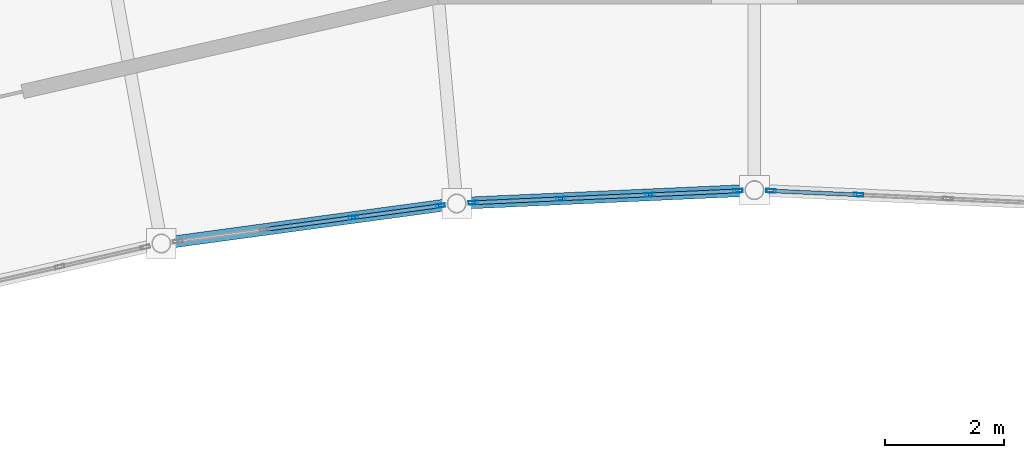
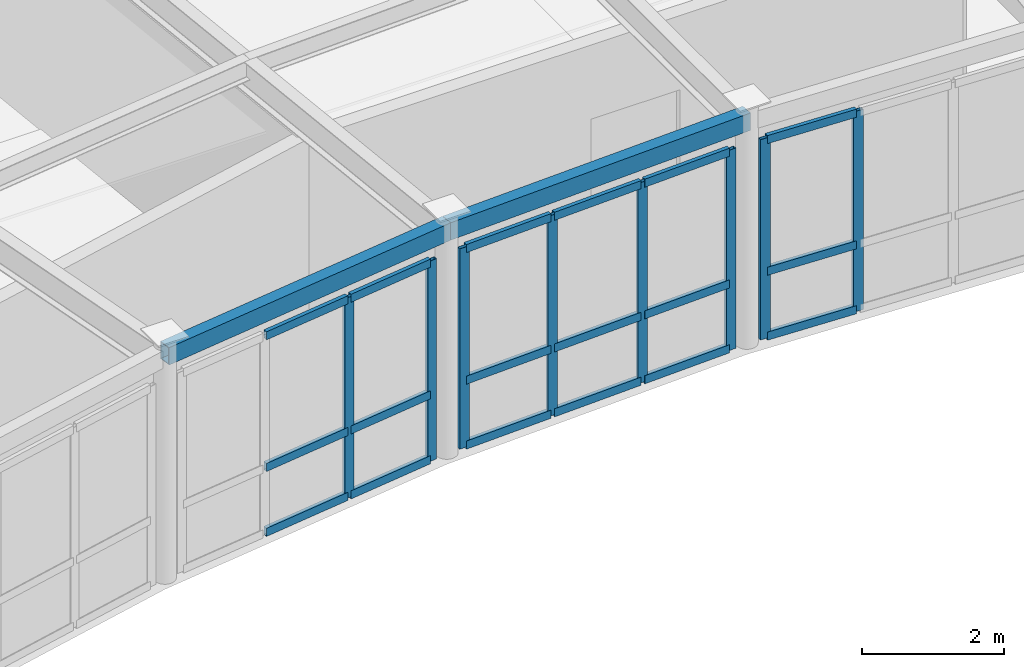
# One storey, part 23 of 54: 26 members, 2 beams, 3 elements without a shape of their own.
"""IFC4 building model written with IfcOpenShell, lengths in metres."""

from ifc_helpers import new_model, si_unit, direction, frame, origin, origin_2d, place, context, subcontext, project, spatial, hollow_rectangle, extrude, material, layer, layer_set, material_profile, profile_set, type_object, element, aggregate, save


model = new_model("IFC4")

# Units and contexts
model_context = context("Model", 3, precision=1e-05, world=origin(), true_north=direction((0.0, 1.0)))
body_context = subcontext(model_context, "Body", "Model", "MODEL_VIEW")
ifc_project = project(units=[si_unit("LENGTHUNIT", "METRE"), si_unit("AREAUNIT", "SQUARE_METRE"), si_unit("VOLUMEUNIT", "CUBIC_METRE"), si_unit("PLANEANGLEUNIT", "RADIAN"), si_unit("MASSUNIT", "GRAM", prefix="KILO")], contexts=[model_context])

# Site, building, storey
site_placement = place(None, origin())
site = spatial("IfcSite", under=ifc_project, at=site_placement, CompositionType="ELEMENT")
building_placement = place(site_placement, origin())
building = spatial("IfcBuilding", under=site, at=building_placement, Name="Selat Folded Stagehouse", CompositionType="ELEMENT")
storey_placement = place(building_placement, frame((0.0, 0.0, 15.0)))
storey = spatial("IfcBuildingStorey", under=building, at=storey_placement, Name="L03", CompositionType="ELEMENT", Elevation=15.0)

# Curtain wall, members
ifc_material_1 = material(Name="Aluminium 6063-T6", Category="aluminium")
ifc_layer = layer(ifc_material_1, 0.18994140625)
ifc_layer_set = layer_set([ifc_layer], Name="Aluminium 6063-T6")
curtain_wall_type = type_object("IfcCurtainWallType", Name="CW-REH-ARC", PredefinedType="NOTDEFINED", material=ifc_layer_set)
curtain_wall_1_placement = place(storey_placement, origin())
curtain_wall_1 = element("IfcCurtainWall", 1, at=curtain_wall_1_placement, inside=storey, type_object=curtain_wall_type, Name="L03 curtain wall CW-REH-L03-05", PredefinedType="NOTDEFINED")
ifc_material_profile_1 = material_profile(ifc_material_1, hollow_rectangle(XDim=0.06005859375, YDim=0.159912109375, WallThickness=0.00390625, at=origin_2d()), Name="ALU 160x60x4.0")
ifc_profile_set_1 = profile_set([ifc_material_profile_1], Name="Aluminium 6063-T6")
member_type_1 = type_object("IfcMemberType", Name="CWM-MUL-160x60", PredefinedType="MULLION", material=ifc_profile_set_1)
member_1_placement = place(storey_placement, frame((87.102783203125, 93.737060546875, 0.0), z_axis=(0.0, 0.0, 1.0), x_axis=(0.134211766018, -0.990952673876, 0.0)))
member_1 = element("IfcMember", 2, at=member_1_placement, type_object=member_type_1, Name="CW-06 mullion 1", PredefinedType="MULLION", context=body_context, shape_type="SweptSolid", body=[
    extrude(hollow_rectangle(XDim=0.06005859375, YDim=0.159912109375, WallThickness=0.00390625, at=origin_2d()), origin(), (0.0, 0.0, 1.0), 3.449951171875),
])
member_2_placement = place(storey_placement, frame((85.637939453125, 93.53857421875, 0.0), z_axis=(0.0, 0.0, 1.0), x_axis=(0.134211766018, -0.990952673876, 0.0)))
member_2 = element("IfcMember", 3, at=member_2_placement, type_object=member_type_1, Name="CW-06 mullion 2", PredefinedType="MULLION", context=body_context, shape_type="SweptSolid", body=[
    extrude(hollow_rectangle(XDim=0.06005859375, YDim=0.159912109375, WallThickness=0.00390625, at=origin_2d()), origin(), (0.0, 0.0, 1.0), 3.449951171875),
])

curtain_wall_2_placement = place(storey_placement, origin())
curtain_wall_2 = element("IfcCurtainWall", 4, at=curtain_wall_2_placement, inside=storey, type_object=curtain_wall_type, Name="L03 curtain wall CW-REH-L03-06", PredefinedType="NOTDEFINED")
member_3_placement = place(storey_placement, frame((92.120361328125, 93.987548828125, 0.0), z_axis=(0.0, 0.0, 1.0), x_axis=(0.044862316478, -0.998993179436, 0.0)))
member_3 = element("IfcMember", 5, at=member_3_placement, type_object=member_type_1, Name="CW-06 mullion 1", PredefinedType="MULLION", context=body_context, shape_type="SweptSolid", body=[
    extrude(hollow_rectangle(XDim=0.06005859375, YDim=0.159912109375, WallThickness=0.00390625, at=origin_2d()), origin(), (0.0, 0.0, 1.0), 3.449951171875),
])
member_4_placement = place(storey_placement, frame((90.6435546875, 93.921142578125, 0.0), z_axis=(0.0, 0.0, 1.0), x_axis=(0.044862316478, -0.998993179436, 0.0)))
member_4 = element("IfcMember", 6, at=member_4_placement, type_object=member_type_1, Name="CW-06 mullion 2", PredefinedType="MULLION", context=body_context, shape_type="SweptSolid", body=[
    extrude(hollow_rectangle(XDim=0.06005859375, YDim=0.159912109375, WallThickness=0.00390625, at=origin_2d()), origin(), (0.0, 0.0, 1.0), 3.449951171875),
])
member_5_placement = place(storey_placement, frame((89.13671875, 93.853515625, 0.0), z_axis=(0.0, 0.0, 1.0), x_axis=(0.044862316478, -0.998993179436, 0.0)))
member_5 = element("IfcMember", 7, at=member_5_placement, type_object=member_type_1, Name="CW-06 mullion 3", PredefinedType="MULLION", context=body_context, shape_type="SweptSolid", body=[
    extrude(hollow_rectangle(XDim=0.06005859375, YDim=0.159912109375, WallThickness=0.00390625, at=origin_2d()), origin(), (0.0, 0.0, 1.0), 3.449951171875),
])
member_6_placement = place(storey_placement, frame((87.659912109375, 93.787109375, 0.0), z_axis=(0.0, 0.0, 1.0), x_axis=(0.044862316478, -0.998993179436, 0.0)))
member_6 = element("IfcMember", 8, at=member_6_placement, type_object=member_type_1, Name="CW-06 mullion 4", PredefinedType="MULLION", context=body_context, shape_type="SweptSolid", body=[
    extrude(hollow_rectangle(XDim=0.06005859375, YDim=0.159912109375, WallThickness=0.00390625, at=origin_2d()), origin(), (0.0, 0.0, 1.0), 3.449951171875),
])

curtain_wall_3_placement = place(storey_placement, origin())
curtain_wall_3 = element("IfcCurtainWall", 9, at=curtain_wall_3_placement, inside=storey, type_object=curtain_wall_type, Name="L03 curtain wall CW-REH-L03-07", PredefinedType="NOTDEFINED")
member_7_placement = place(storey_placement, frame((94.156494140625, 93.921142578125, 0.0), z_axis=(0.0, 0.0, 1.0), x_axis=(-0.044862316478, -0.998993179436, 0.0)))
member_7 = element("IfcMember", 10, at=member_7_placement, type_object=member_type_1, Name="CW-06 mullion 3", PredefinedType="MULLION", context=body_context, shape_type="SweptSolid", body=[
    extrude(hollow_rectangle(XDim=0.06005859375, YDim=0.159912109375, WallThickness=0.00390625, at=origin_2d()), origin(), (0.0, 0.0, 1.0), 3.449951171875),
])
member_8_placement = place(storey_placement, frame((92.6796875, 93.987548828125, 0.0), z_axis=(0.0, 0.0, 1.0), x_axis=(-0.044862316478, -0.998993179436, 0.0)))
member_8 = element("IfcMember", 11, at=member_8_placement, type_object=member_type_1, Name="CW-06 mullion 4", PredefinedType="MULLION", context=body_context, shape_type="SweptSolid", body=[
    extrude(hollow_rectangle(XDim=0.06005859375, YDim=0.159912109375, WallThickness=0.00390625, at=origin_2d()), origin(), (0.0, 0.0, 1.0), 3.449951171875),
])

# Member
ifc_material_profile_2 = material_profile(ifc_material_1, hollow_rectangle(XDim=0.06494140625, YDim=0.139892578125, WallThickness=0.00390625, at=origin_2d()), Name="ALU 140x65x4.0")
ifc_profile_set_2 = profile_set([ifc_material_profile_2], Name="Aluminium 6063-T6")
member_type_2 = type_object("IfcMemberType", Name="CWM-TRN-140x65", PredefinedType="USERDEFINED", material=ifc_profile_set_2)
member_9_placement = place(storey_placement, frame((87.072998046875, 93.73291015625, 0.032470703125), z_axis=(-0.990946066769, -0.134260540573, 0.0), x_axis=(0.134260540573, -0.990946066769, 0.0)))
member_9 = element("IfcMember", 12, at=member_9_placement, type_object=member_type_2, Name="CW-06 transom 1.1", ObjectType="TRANSOM", PredefinedType="USERDEFINED", context=body_context, shape_type="SweptSolid", body=[
    extrude(hollow_rectangle(XDim=0.06494140625, YDim=0.139892578125, WallThickness=0.00390625, at=origin_2d()), origin(), (0.0, 0.0, 1.0), 1.41845703125),
])

member_10_placement = place(storey_placement, frame((87.072998046875, 93.73291015625, 1.14990234375), z_axis=(-0.990946066769, -0.134260540573, 0.0), x_axis=(0.134260540573, -0.990946066769, 0.0)))
member_10 = element("IfcMember", 13, at=member_10_placement, type_object=member_type_2, Name="CW-06 transom 1.2", ObjectType="TRANSOM", PredefinedType="USERDEFINED", context=body_context, shape_type="SweptSolid", body=[
    extrude(hollow_rectangle(XDim=0.06494140625, YDim=0.139892578125, WallThickness=0.00390625, at=origin_2d()), origin(), (0.0, 0.0, 1.0), 1.41845703125),
])

member_11_placement = place(storey_placement, frame((87.072998046875, 93.73291015625, 3.41748046875), z_axis=(-0.990946066769, -0.134260540573, 0.0), x_axis=(0.134260540573, -0.990946066769, 0.0)))
member_11 = element("IfcMember", 14, at=member_11_placement, type_object=member_type_2, Name="CW-06 transom 1.3", ObjectType="TRANSOM", PredefinedType="USERDEFINED", context=body_context, shape_type="SweptSolid", body=[
    extrude(hollow_rectangle(XDim=0.06494140625, YDim=0.139892578125, WallThickness=0.00390625, at=origin_2d()), origin(), (0.0, 0.0, 1.0), 1.41845703125),
])

member_12_placement = place(storey_placement, frame((85.608154296875, 93.534423828125, 0.032470703125), z_axis=(-0.990957936125, -0.134172906473, 0.0), x_axis=(0.134172906473, -0.990957936125, 0.0)))
member_12 = element("IfcMember", 15, at=member_12_placement, type_object=member_type_2, Name="CW-06 transom 2.1", ObjectType="TRANSOM", PredefinedType="USERDEFINED", context=body_context, shape_type="SweptSolid", body=[
    extrude(hollow_rectangle(XDim=0.06494140625, YDim=0.139892578125, WallThickness=0.00390625, at=origin_2d()), origin(), (0.0, 0.0, 1.0), 1.448486328125),
])

member_13_placement = place(storey_placement, frame((85.608154296875, 93.534423828125, 1.14990234375), z_axis=(-0.990957936125, -0.134172906473, 0.0), x_axis=(0.134172906473, -0.990957936125, 0.0)))
member_13 = element("IfcMember", 16, at=member_13_placement, type_object=member_type_2, Name="CW-06 transom 2.2", ObjectType="TRANSOM", PredefinedType="USERDEFINED", context=body_context, shape_type="SweptSolid", body=[
    extrude(hollow_rectangle(XDim=0.06494140625, YDim=0.139892578125, WallThickness=0.00390625, at=origin_2d()), origin(), (0.0, 0.0, 1.0), 1.448486328125),
])

member_14_placement = place(storey_placement, frame((85.608154296875, 93.534423828125, 3.41748046875), z_axis=(-0.990957936125, -0.134172906473, 0.0), x_axis=(0.134172906473, -0.990957936125, 0.0)))
member_14 = element("IfcMember", 17, at=member_14_placement, type_object=member_type_2, Name="CW-06 transom 2.3", ObjectType="TRANSOM", PredefinedType="USERDEFINED", context=body_context, shape_type="SweptSolid", body=[
    extrude(hollow_rectangle(XDim=0.06494140625, YDim=0.139892578125, WallThickness=0.00390625, at=origin_2d()), origin(), (0.0, 0.0, 1.0), 1.448486328125),
])

aggregate(curtain_wall_1, [member_1, member_2, member_9, member_10, member_11, member_12, member_13, member_14])

member_15_placement = place(storey_placement, frame((92.09033203125, 93.986083984375, 0.032470703125), z_axis=(-0.998990078576, -0.044931313202, 0.0), x_axis=(0.044931313202, -0.998990078576, 0.0)))
member_15 = element("IfcMember", 18, at=member_15_placement, type_object=member_type_2, Name="CW-06 transom 1.1", ObjectType="TRANSOM", PredefinedType="USERDEFINED", context=body_context, shape_type="SweptSolid", body=[
    extrude(hollow_rectangle(XDim=0.06494140625, YDim=0.139892578125, WallThickness=0.00390625, at=origin_2d()), origin(), (0.0, 0.0, 1.0), 1.418212890625),
])

member_16_placement = place(storey_placement, frame((92.09033203125, 93.986083984375, 1.14990234375), z_axis=(-0.998990078576, -0.044931313202, 0.0), x_axis=(0.044931313202, -0.998990078576, 0.0)))
member_16 = element("IfcMember", 19, at=member_16_placement, type_object=member_type_2, Name="CW-06 transom 1.2", ObjectType="TRANSOM", PredefinedType="USERDEFINED", context=body_context, shape_type="SweptSolid", body=[
    extrude(hollow_rectangle(XDim=0.06494140625, YDim=0.139892578125, WallThickness=0.00390625, at=origin_2d()), origin(), (0.0, 0.0, 1.0), 1.418212890625),
])

member_17_placement = place(storey_placement, frame((92.09033203125, 93.986083984375, 3.41748046875), z_axis=(-0.998990078576, -0.044931313202, 0.0), x_axis=(0.044931313202, -0.998990078576, 0.0)))
member_17 = element("IfcMember", 20, at=member_17_placement, type_object=member_type_2, Name="CW-06 transom 1.3", ObjectType="TRANSOM", PredefinedType="USERDEFINED", context=body_context, shape_type="SweptSolid", body=[
    extrude(hollow_rectangle(XDim=0.06494140625, YDim=0.139892578125, WallThickness=0.00390625, at=origin_2d()), origin(), (0.0, 0.0, 1.0), 1.418212890625),
])

member_18_placement = place(storey_placement, frame((90.613525390625, 93.919677734375, 0.032470703125), z_axis=(-0.998994101144, -0.044841787193, 0.0), x_axis=(0.044841787193, -0.998994101144, 0.0)))
member_18 = element("IfcMember", 21, at=member_18_placement, type_object=member_type_2, Name="CW-06 transom 2.1", ObjectType="TRANSOM", PredefinedType="USERDEFINED", context=body_context, shape_type="SweptSolid", body=[
    extrude(hollow_rectangle(XDim=0.06494140625, YDim=0.139892578125, WallThickness=0.00390625, at=origin_2d()), origin(), (0.0, 0.0, 1.0), 1.4482421875),
])

member_19_placement = place(storey_placement, frame((90.613525390625, 93.919677734375, 1.14990234375), z_axis=(-0.998994101144, -0.044841787193, 0.0), x_axis=(0.044841787193, -0.998994101144, 0.0)))
member_19 = element("IfcMember", 22, at=member_19_placement, type_object=member_type_2, Name="CW-06 transom 2.2", ObjectType="TRANSOM", PredefinedType="USERDEFINED", context=body_context, shape_type="SweptSolid", body=[
    extrude(hollow_rectangle(XDim=0.06494140625, YDim=0.139892578125, WallThickness=0.00390625, at=origin_2d()), origin(), (0.0, 0.0, 1.0), 1.4482421875),
])

member_20_placement = place(storey_placement, frame((90.613525390625, 93.919677734375, 3.41748046875), z_axis=(-0.998994101144, -0.044841787193, 0.0), x_axis=(0.044841787193, -0.998994101144, 0.0)))
member_20 = element("IfcMember", 23, at=member_20_placement, type_object=member_type_2, Name="CW-06 transom 2.3", ObjectType="TRANSOM", PredefinedType="USERDEFINED", context=body_context, shape_type="SweptSolid", body=[
    extrude(hollow_rectangle(XDim=0.06494140625, YDim=0.139892578125, WallThickness=0.00390625, at=origin_2d()), origin(), (0.0, 0.0, 1.0), 1.4482421875),
])

member_21_placement = place(storey_placement, frame((89.106689453125, 93.85205078125, 0.032470703125), z_axis=(-0.998997791005, -0.044759508127, 0.0), x_axis=(0.044759508127, -0.998997791005, 0.0)))
member_21 = element("IfcMember", 24, at=member_21_placement, type_object=member_type_2, Name="CW-06 transom 3.1", ObjectType="TRANSOM", PredefinedType="USERDEFINED", context=body_context, shape_type="SweptSolid", body=[
    extrude(hollow_rectangle(XDim=0.06494140625, YDim=0.139892578125, WallThickness=0.00390625, at=origin_2d()), origin(), (0.0, 0.0, 1.0), 1.418212890625),
])

member_22_placement = place(storey_placement, frame((89.106689453125, 93.85205078125, 1.14990234375), z_axis=(-0.998997791005, -0.044759508127, 0.0), x_axis=(0.044759508127, -0.998997791005, 0.0)))
member_22 = element("IfcMember", 25, at=member_22_placement, type_object=member_type_2, Name="CW-06 transom 3.2", ObjectType="TRANSOM", PredefinedType="USERDEFINED", context=body_context, shape_type="SweptSolid", body=[
    extrude(hollow_rectangle(XDim=0.06494140625, YDim=0.139892578125, WallThickness=0.00390625, at=origin_2d()), origin(), (0.0, 0.0, 1.0), 1.418212890625),
])

member_23_placement = place(storey_placement, frame((89.106689453125, 93.85205078125, 3.41748046875), z_axis=(-0.998997791005, -0.044759508127, 0.0), x_axis=(0.044759508127, -0.998997791005, 0.0)))
member_23 = element("IfcMember", 26, at=member_23_placement, type_object=member_type_2, Name="CW-06 transom 3.3", ObjectType="TRANSOM", PredefinedType="USERDEFINED", context=body_context, shape_type="SweptSolid", body=[
    extrude(hollow_rectangle(XDim=0.06494140625, YDim=0.139892578125, WallThickness=0.00390625, at=origin_2d()), origin(), (0.0, 0.0, 1.0), 1.418212890625),
])

aggregate(curtain_wall_2, [member_3, member_4, member_5, member_6, member_15, member_16, member_17, member_18, member_19, member_20, member_21, member_22, member_23])

member_24_placement = place(storey_placement, frame((94.12646484375, 93.92236328125, 0.032470703125), z_axis=(-0.998990078576, 0.044931313202, 0.0), x_axis=(-0.044931313202, -0.998990078576, 0.0)))
member_24 = element("IfcMember", 27, at=member_24_placement, type_object=member_type_2, Name="CW-06 transom 3.1", ObjectType="TRANSOM", PredefinedType="USERDEFINED", context=body_context, shape_type="SweptSolid", body=[
    extrude(hollow_rectangle(XDim=0.06494140625, YDim=0.139892578125, WallThickness=0.00390625, at=origin_2d()), origin(), (0.0, 0.0, 1.0), 1.418212890625),
])

member_25_placement = place(storey_placement, frame((94.12646484375, 93.92236328125, 1.14990234375), z_axis=(-0.998990078576, 0.044931313202, 0.0), x_axis=(-0.044931313202, -0.998990078576, 0.0)))
member_25 = element("IfcMember", 28, at=member_25_placement, type_object=member_type_2, Name="CW-06 transom 3.2", ObjectType="TRANSOM", PredefinedType="USERDEFINED", context=body_context, shape_type="SweptSolid", body=[
    extrude(hollow_rectangle(XDim=0.06494140625, YDim=0.139892578125, WallThickness=0.00390625, at=origin_2d()), origin(), (0.0, 0.0, 1.0), 1.418212890625),
])

member_26_placement = place(storey_placement, frame((94.12646484375, 93.92236328125, 3.41748046875), z_axis=(-0.998990078576, 0.044931313202, 0.0), x_axis=(-0.044931313202, -0.998990078576, 0.0)))
member_26 = element("IfcMember", 29, at=member_26_placement, type_object=member_type_2, Name="CW-06 transom 3.3", ObjectType="TRANSOM", PredefinedType="USERDEFINED", context=body_context, shape_type="SweptSolid", body=[
    extrude(hollow_rectangle(XDim=0.06494140625, YDim=0.139892578125, WallThickness=0.00390625, at=origin_2d()), origin(), (0.0, 0.0, 1.0), 1.418212890625),
])

aggregate(curtain_wall_3, [member_7, member_8, member_24, member_25, member_26])

# Beams
ifc_material_2 = material(Name="Steel S355", Category="steel")
ifc_material_profile_3 = material_profile(ifc_material_2, hollow_rectangle(XDim=0.199951171875, YDim=0.300048828125, WallThickness=0.012451171875, at=origin_2d()), Name="RHS 300x200x12.5")
ifc_profile_set_3 = profile_set([ifc_material_profile_3], Name="Steel S355")
beam_type = type_object("IfcBeamType", Name="SPD-RHS-300x200", PredefinedType="SPANDREL", material=ifc_profile_set_3)
beam_1_placement = place(storey_placement, frame((82.40087890625, 93.10009765625, 3.867919921875), z_axis=(0.9909477611, 0.134248034514, 0.0), x_axis=(-0.134248034514, 0.9909477611, 0.0)))
element("IfcBeam", 30, at=beam_1_placement, inside=storey, type_object=beam_type, Name="L03 inner curved rehearsal spandrel 6", PredefinedType="SPANDREL", context=body_context, shape_type="SweptSolid", body=[
    extrude(hollow_rectangle(XDim=0.199951171875, YDim=0.300048828125, WallThickness=0.012451171875, at=origin_2d()), origin(), (0.0, 0.0, 1.0), 5.024658203125),
])
beam_2_placement = place(storey_placement, frame((87.380126953125, 93.774658203125, 3.867919921875), z_axis=(0.998993927779, 0.044845649304, 0.0), x_axis=(-0.044845649304, 0.998993927779, 0.0)))
element("IfcBeam", 31, at=beam_2_placement, inside=storey, type_object=beam_type, Name="L03 inner curved rehearsal spandrel 7", PredefinedType="SPANDREL", context=body_context, shape_type="SweptSolid", body=[
    extrude(hollow_rectangle(XDim=0.199951171875, YDim=0.300048828125, WallThickness=0.012451171875, at=origin_2d()), origin(), (0.0, 0.0, 1.0), 5.02490234375),
])

save(model, "model.ifc")
